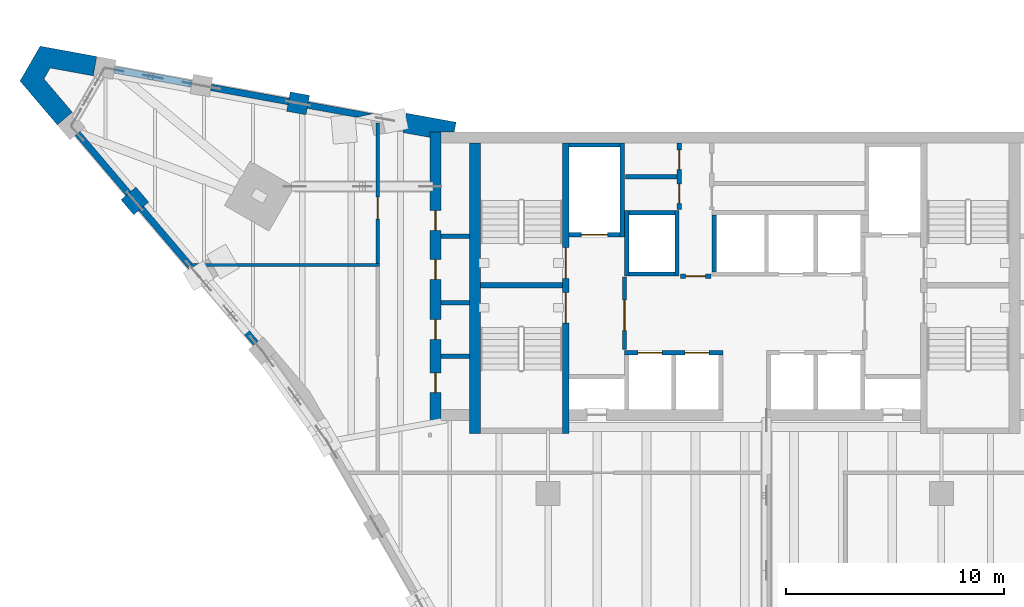
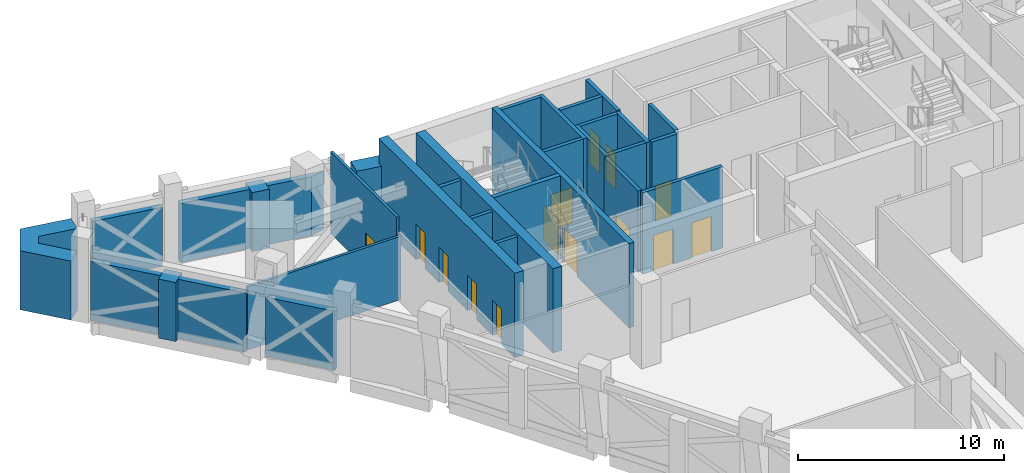
# One storey, part 11 of 23: 32 walls, 14 doors, 14 openings.
"""IFC4 building model written with IfcOpenShell, lengths in metres."""

from ifc_helpers import new_model, si_unit, direction, frame, frame_2d, origin, place, context, subcontext, project, spatial, polyline, rectangle, outline, extrude, material, layer, layer_set, type_object, element, fill, save


model = new_model("IFC4")

# Units and contexts
model_context = context("Model", 3, precision=1e-05, world=origin(), true_north=direction((0.0, 1.0)))
body_context = subcontext(model_context, "Body", "Model", "MODEL_VIEW")
ifc_project = project(units=[si_unit("LENGTHUNIT", "METRE"), si_unit("AREAUNIT", "SQUARE_METRE"), si_unit("VOLUMEUNIT", "CUBIC_METRE"), si_unit("PLANEANGLEUNIT", "RADIAN"), si_unit("MASSUNIT", "GRAM", prefix="KILO")], contexts=[model_context])

# Site, building, storey
site_placement = place(None, origin())
site = spatial("IfcSite", under=ifc_project, at=site_placement, CompositionType="ELEMENT")
building_placement = place(site_placement, origin())
building = spatial("IfcBuilding", under=site, at=building_placement, Name="Calabash Gate Tower", CompositionType="ELEMENT")
storey_placement = place(building_placement, frame((0.0, 0.0, 243.199951171875)))
storey = spatial("IfcBuildingStorey", under=building, at=storey_placement, Name="L58", CompositionType="ELEMENT", Elevation=243.199951171875)

# Walls
ifc_material_1 = material(Name="Terracotta brick masonry, exposed face", Category="masonry")
ifc_layer_1 = layer(ifc_material_1, 0.89990234375)
ifc_layer_set_1 = layer_set([ifc_layer_1], Name="Brick end wall 900")
wall_type_1 = type_object("IfcWallType", Name="Brick end wall 900", PredefinedType="SOLIDWALL", material=ifc_layer_set_1)
wall_1_placement = place(storey_placement, frame((-20.52099609375, 19.91796875, 0.0), z_axis=(0.0, 0.0, 1.0), x_axis=(0.180126650564, 0.983643426124, 0.0)))
element("IfcWall", 1, at=wall_1_placement, inside=storey, type_object=wall_type_1, Name="Brick pier L58 wedge7.1", PredefinedType="SOLIDWALL", context=body_context, shape_type="SweptSolid", body=[
    extrude(rectangle(XDim=0.89990234375, YDim=0.89990234375, at=frame_2d((0.449951171875, 0.0))), origin(), (0.0, 0.0, 1.0), 3.5),
])
wall_2_placement = place(storey_placement, frame((-27.621337890625, 15.551025390625, 0.0), z_axis=(0.0, 0.0, 1.0), x_axis=(-0.647703530983, 0.761892470072, 0.0)))
element("IfcWall", 2, at=wall_2_placement, inside=storey, type_object=wall_type_1, Name="Brick pier L58 wedge9.1", PredefinedType="SOLIDWALL", context=body_context, shape_type="SweptSolid", body=[
    extrude(rectangle(XDim=0.900146484375, YDim=0.89990234375, at=frame_2d((0.4501953125, 0.0))), origin(), (0.0, 0.0, 1.0), 3.5),
])
wall_3_placement = place(storey_placement, origin())
element("IfcWall", 3, at=wall_3_placement, inside=storey, type_object=wall_type_1, Name="Brick end wall L58 5", PredefinedType="SOLIDWALL", context=body_context, shape_type="SweptSolid", body=[
    extrude(outline(polyline([(-15.65185546875, 19.027099609375), (-14.39990234375, 18.798095703125), (-14.39990234375, 19.052490234375), (-13.291015625, 19.052490234375), (-13.2099609375, 19.4951171875), (-15.48974609375, 19.912353515625), (-15.65185546875, 19.027099609375)])), origin(), (0.0, 0.0, 1.0), 3.5),
])
wall_4_placement = place(storey_placement, origin())
element("IfcWall", 4, at=wall_4_placement, inside=storey, type_object=wall_type_1, Name="Brick end wall L58 6", PredefinedType="SOLIDWALL", context=body_context, shape_type="SweptSolid", body=[
    extrude(outline(polyline([(-29.816650390625, 21.618896484375), (-29.654541015625, 22.504150390625), (-32.24658203125, 22.978271484375), (-33.168701171875, 21.38134765625), (-31.4619140625, 19.373779296875), (-30.776123046875, 19.956787109375), (-32.072021484375, 21.48095703125), (-31.784423828125, 21.978759765625), (-29.816650390625, 21.618896484375)])), origin(), (0.0, 0.0, 1.0), 3.5),
])
ifc_material_2 = material(Name="Concrete C70/85", Category="concrete")
ifc_layer_2 = layer(ifc_material_2, 0.25)
ifc_layer_set_2 = layer_set([ifc_layer_2], Name="Core wall 250 Concrete C70/85")
wall_type_2 = type_object("IfcWallType", Name="Core wall 250 Concrete C70/85", PredefinedType="SHEAR", material=ifc_layer_set_2)
wall_5_placement = place(storey_placement, frame((-12.10009765625, 12.027587890625, 0.0), z_axis=(0.0, 0.0, 1.0), x_axis=(1.0, 0.0, 0.0)))
element("IfcWall", 5, at=wall_5_placement, inside=storey, type_object=wall_type_2, Name="Core wall Z4-MIDW L58", PredefinedType="SHEAR", context=body_context, shape_type="SweptSolid", body=[
    extrude(rectangle(XDim=3.75, YDim=0.25, at=frame_2d((1.875, 0.0))), origin(), (0.0, 0.0, 1.0), 5.0),
])

# Wall, openings, doors
ifc_material_3 = material(Name="Concrete C70/85", Category="concrete")
ifc_layer_3 = layer(ifc_material_3, 0.300048828125)
ifc_layer_set_3 = layer_set([ifc_layer_3], Name="Core wall 300 Concrete C70/85")
wall_type_3 = type_object("IfcWallType", Name="Core wall 300 Concrete C70/85", PredefinedType="SHEAR", material=ifc_layer_set_3)
wall_6_placement = place(storey_placement, frame((-8.199951171875, 5.252685546875, 0.0), z_axis=(0.0, 0.0, 1.0), x_axis=(0.0, 1.0, 0.0)))
wall_6 = element("IfcWall", 6, at=wall_6_placement, inside=storey, type_object=wall_type_3, Name="Core wall Z4-PARTW L58", PredefinedType="SHEAR", context=body_context, shape_type="SweptSolid", body=[
    extrude(rectangle(XDim=13.2998046875, YDim=0.300048828125, at=frame_2d((6.64990234375, 0.0))), origin(), (0.0, 0.0, 1.0), 5.0),
])
opening_1_placement = place(wall_6_placement, frame((7.10009765625, 0.0, 0.0)))
opening_1 = element("IfcOpeningElement", 7, at=opening_1_placement, cuts=wall_6, Name="Opening L58-001", PredefinedType="OPENING", context=body_context, shape_type="SweptSolid", body=[
    extrude(rectangle(XDim=1.39990234375, YDim=2.10009765625, at=frame_2d((0.699951171875, 1.050048828125))), frame((0.0, 0.159912109375, 0.0), z_axis=(0.0, -1.0, 0.0), x_axis=(1.0, 0.0, 0.0)), (0.0, 0.0, 1.0), 0.320068359375),
])
opening_2_placement = place(wall_6_placement, frame((5.050048828125, 0.0, 0.0)))
opening_2 = element("IfcOpeningElement", 8, at=opening_2_placement, cuts=wall_6, Name="Opening L58-002", PredefinedType="OPENING", context=body_context, shape_type="SweptSolid", body=[
    extrude(rectangle(XDim=1.39990234375, YDim=2.10009765625, at=frame_2d((0.699951171875, 1.050048828125))), frame((0.0, 0.159912109375, 0.0), z_axis=(0.0, -1.0, 0.0), x_axis=(1.0, 0.0, 0.0)), (0.0, 0.0, 1.0), 0.320068359375),
])
ifc_material_4 = material(Name="Steel fire door set with fire-resisting glazing", Category="steel")
door_type_1 = type_object("IfcDoorType", Name="Fire door D05 1400x2100 FD90", OperationType="NOTDEFINED", PredefinedType="DOOR", material=ifc_material_4)
door_1_placement = place(opening_1_placement, origin())
door_1 = element("IfcDoor", 9, at=door_1_placement, inside=storey, type_object=door_type_1, Name="Exit stair door ST1", OperationType="SINGLE_SWING_LEFT", OverallHeight=2.10009765625, OverallWidth=1.39990234375, PredefinedType="DOOR", context=body_context, shape_type="SweptSolid", body=[
    extrude(rectangle(XDim=1.39990234375, YDim=2.10009765625, at=frame_2d((0.699951171875, 1.050048828125))), frame((0.0, 0.02490234375, 0.0), z_axis=(0.0, -1.0, 0.0), x_axis=(1.0, 0.0, 0.0)), (0.0, 0.0, 1.0), 0.050048828125),
])
fill(opening_1, door_1)
door_2_placement = place(opening_2_placement, origin())
door_2 = element("IfcDoor", 10, at=door_2_placement, inside=storey, type_object=door_type_1, Name="Exit stair door ST2", OperationType="SINGLE_SWING_LEFT", OverallHeight=2.10009765625, OverallWidth=1.39990234375, PredefinedType="DOOR", context=body_context, shape_type="SweptSolid", body=[
    extrude(rectangle(XDim=1.39990234375, YDim=2.10009765625, at=frame_2d((0.699951171875, 1.050048828125))), frame((0.0, 0.02490234375, 0.0), z_axis=(0.0, -1.0, 0.0), x_axis=(1.0, 0.0, 0.0)), (0.0, 0.0, 1.0), 0.050048828125),
])
fill(opening_2, door_2)

# Wall
ifc_material_5 = material(Name="Concrete C70/85", Category="concrete")
ifc_layer_4 = layer(ifc_material_5, 0.5)
ifc_layer_set_4 = layer_set([ifc_layer_4], Name="Core wall 500 Concrete C70/85")
wall_type_4 = type_object("IfcWallType", Name="Core wall 500 Concrete C70/85", PredefinedType="SHEAR", material=ifc_layer_set_4)
wall_7_placement = place(storey_placement, frame((-12.35009765625, 5.252685546875, 0.0), z_axis=(0.0, 0.0, 1.0), x_axis=(0.0, 1.0, 0.0)))
element("IfcWall", 11, at=wall_7_placement, inside=storey, type_object=wall_type_4, Name="Core wall Z4-COLW L58", PredefinedType="SHEAR", context=body_context, shape_type="SweptSolid", body=[
    extrude(rectangle(XDim=13.2998046875, YDim=0.5, at=frame_2d((6.64990234375, 0.0))), origin(), (0.0, 0.0, 1.0), 5.0),
])

# Wall, openings, doors
wall_8_placement = place(storey_placement, frame((-14.14990234375, 5.8525390625, 0.0), z_axis=(0.0, 0.0, 1.0), x_axis=(0.0, 1.0, 0.0)))
wall_8 = element("IfcWall", 12, at=wall_8_placement, inside=storey, type_object=wall_type_4, Name="Core wall Z4-ENDW L58", PredefinedType="SHEAR", context=body_context, shape_type="SweptSolid", body=[
    extrude(rectangle(XDim=13.199951171875, YDim=0.5, at=frame_2d((6.60009765625, 0.0))), origin(), (0.0, 0.0, 1.0), 5.0),
])
opening_3_placement = place(wall_8_placement, frame((1.27001953125, 0.0, 0.0)))
opening_3 = element("IfcOpeningElement", 13, at=opening_3_placement, cuts=wall_8, Name="Opening L58-014", PredefinedType="OPENING", context=body_context, shape_type="SweptSolid", body=[
    extrude(rectangle(XDim=0.89990234375, YDim=2.10009765625, at=frame_2d((0.449951171875, 1.050048828125))), frame((0.0, 0.260009765625, 0.0), z_axis=(0.0, -1.0, 0.0), x_axis=(1.0, 0.0, 0.0)), (0.0, 0.0, 1.0), 0.52001953125),
])
opening_4_placement = place(wall_8_placement, frame((3.7099609375, 0.0, 0.0)))
opening_4 = element("IfcOpeningElement", 14, at=opening_4_placement, cuts=wall_8, Name="Opening L58-015", PredefinedType="OPENING", context=body_context, shape_type="SweptSolid", body=[
    extrude(rectangle(XDim=0.89990234375, YDim=2.10009765625, at=frame_2d((0.449951171875, 1.050048828125))), frame((0.0, 0.260009765625, 0.0), z_axis=(0.0, -1.0, 0.0), x_axis=(1.0, 0.0, 0.0)), (0.0, 0.0, 1.0), 0.52001953125),
])
opening_5_placement = place(wall_8_placement, frame((6.455078125, 0.0, 0.0)))
opening_5 = element("IfcOpeningElement", 15, at=opening_5_placement, cuts=wall_8, Name="Opening L58-016", PredefinedType="OPENING", context=body_context, shape_type="SweptSolid", body=[
    extrude(rectangle(XDim=0.89990234375, YDim=2.10009765625, at=frame_2d((0.449951171875, 1.050048828125))), frame((0.0, 0.260009765625, 0.0), z_axis=(0.0, -1.0, 0.0), x_axis=(1.0, 0.0, 0.0)), (0.0, 0.0, 1.0), 0.52001953125),
])
opening_6_placement = place(wall_8_placement, frame((8.697509765625, 0.0, 0.0)))
opening_6 = element("IfcOpeningElement", 16, at=opening_6_placement, cuts=wall_8, Name="Opening L58-017", PredefinedType="OPENING", context=body_context, shape_type="SweptSolid", body=[
    extrude(rectangle(XDim=0.89990234375, YDim=2.10009765625, at=frame_2d((0.449951171875, 1.050048828125))), frame((0.0, 0.260009765625, 0.0), z_axis=(0.0, -1.0, 0.0), x_axis=(1.0, 0.0, 0.0)), (0.0, 0.0, 1.0), 0.52001953125),
])
ifc_material_6 = material(Name="Steel fire door set with fire-resisting glazing", Category="steel")
door_type_2 = type_object("IfcDoorType", Name="Fire door D06 900x2100 FD60", OperationType="NOTDEFINED", PredefinedType="DOOR", material=ifc_material_6)
door_3_placement = place(opening_3_placement, origin())
door_3 = element("IfcDoor", 17, at=door_3_placement, inside=storey, type_object=door_type_2, Name="Electrical Riser door", OperationType="SINGLE_SWING_LEFT", OverallHeight=2.10009765625, OverallWidth=0.89990234375, PredefinedType="DOOR", context=body_context, shape_type="SweptSolid", body=[
    extrude(rectangle(XDim=0.89990234375, YDim=2.10009765625, at=frame_2d((0.449951171875, 1.050048828125))), frame((0.0, 0.02490234375, 0.0), z_axis=(0.0, -1.0, 0.0), x_axis=(1.0, 0.0, 0.0)), (0.0, 0.0, 1.0), 0.050048828125),
])
fill(opening_3, door_3)
door_4_placement = place(opening_4_placement, origin())
door_4 = element("IfcDoor", 18, at=door_4_placement, inside=storey, type_object=door_type_2, Name="Comms Riser door", OperationType="SINGLE_SWING_LEFT", OverallHeight=2.10009765625, OverallWidth=0.89990234375, PredefinedType="DOOR", context=body_context, shape_type="SweptSolid", body=[
    extrude(rectangle(XDim=0.89990234375, YDim=2.10009765625, at=frame_2d((0.449951171875, 1.050048828125))), frame((0.0, 0.02490234375, 0.0), z_axis=(0.0, -1.0, 0.0), x_axis=(1.0, 0.0, 0.0)), (0.0, 0.0, 1.0), 0.050048828125),
])
fill(opening_4, door_4)
door_5_placement = place(opening_5_placement, origin())
door_5 = element("IfcDoor", 19, at=door_5_placement, inside=storey, type_object=door_type_2, Name="Cleaner's Store door", OperationType="SINGLE_SWING_LEFT", OverallHeight=2.10009765625, OverallWidth=0.89990234375, PredefinedType="DOOR", context=body_context, shape_type="SweptSolid", body=[
    extrude(rectangle(XDim=0.89990234375, YDim=2.10009765625, at=frame_2d((0.449951171875, 1.050048828125))), frame((0.0, 0.02490234375, 0.0), z_axis=(0.0, -1.0, 0.0), x_axis=(1.0, 0.0, 0.0)), (0.0, 0.0, 1.0), 0.050048828125),
])
fill(opening_5, door_5)
door_6_placement = place(opening_6_placement, origin())
door_6 = element("IfcDoor", 20, at=door_6_placement, inside=storey, type_object=door_type_2, Name="Duct Riser door", OperationType="SINGLE_SWING_LEFT", OverallHeight=2.10009765625, OverallWidth=0.89990234375, PredefinedType="DOOR", context=body_context, shape_type="SweptSolid", body=[
    extrude(rectangle(XDim=0.89990234375, YDim=2.10009765625, at=frame_2d((0.449951171875, 1.050048828125))), frame((0.0, 0.02490234375, 0.0), z_axis=(0.0, -1.0, 0.0), x_axis=(1.0, 0.0, 0.0)), (0.0, 0.0, 1.0), 0.050048828125),
])
fill(opening_6, door_6)

# Wall
ifc_material_7 = material(Name="Gypsum board on steel studs, mineral wool", Category="steel")
ifc_layer_5 = layer(ifc_material_7, 0.14990234375)
ifc_layer_set_5 = layer_set([ifc_layer_5], Name="Partition 150 gypsum board")
wall_type_5 = type_object("IfcWallType", Name="Partition 150 gypsum board", PredefinedType="PARTITIONING", material=ifc_layer_set_5)
wall_9_placement = place(storey_placement, frame((-25.326416015625, 12.965576171875, 0.0), z_axis=(0.0, 0.0, 1.0), x_axis=(1.0, 0.0, 0.0)))
element("IfcWall", 21, at=wall_9_placement, inside=storey, type_object=wall_type_5, Name="Partition", PredefinedType="PARTITIONING", context=body_context, shape_type="SweptSolid", body=[
    extrude(rectangle(XDim=8.601318359375, YDim=0.14990234375, at=frame_2d((4.30078125, 0.0))), origin(), (0.0, 0.0, 1.0), 3.751953125),
])

# Wall, opening, door
wall_10_placement = place(storey_placement, frame((-16.800048828125, 13.04052734375, 0.0), z_axis=(0.0, 0.0, 1.0), x_axis=(0.0, 1.0, 0.0)))
wall_10 = element("IfcWall", 22, at=wall_10_placement, inside=storey, type_object=wall_type_5, Name="Partition", PredefinedType="PARTITIONING", context=body_context, shape_type="SweptSolid", body=[
    extrude(rectangle(XDim=6.424072265625, YDim=0.14990234375, at=frame_2d((3.2119140625, 0.0))), origin(), (0.0, 0.0, 1.0), 4.830078125),
])
opening_7_placement = place(wall_10_placement, frame((2.02490234375, 0.0, 0.0)))
opening_7 = element("IfcOpeningElement", 23, at=opening_7_placement, cuts=wall_10, Name="Opening L58-022", PredefinedType="OPENING", context=body_context, shape_type="SweptSolid", body=[
    extrude(rectangle(XDim=1.0, YDim=2.10009765625, at=frame_2d((0.5, 1.050048828125))), frame((0.0, 0.0849609375, 0.0), z_axis=(0.0, -1.0, 0.0), x_axis=(1.0, 0.0, 0.0)), (0.0, 0.0, 1.0), 0.169921875),
])
ifc_material_8 = material(Name="Steel fire door set with fire-resisting glazing", Category="steel")
door_type_3 = type_object("IfcDoorType", Name="Fire door D11 1000x2100 FD60", OperationType="NOTDEFINED", PredefinedType="DOOR", material=ifc_material_8)
door_7_placement = place(opening_7_placement, origin())
door_7 = element("IfcDoor", 24, at=door_7_placement, inside=storey, type_object=door_type_3, Name="Air Handling Plant Room door", OperationType="SINGLE_SWING_LEFT", OverallHeight=2.10009765625, OverallWidth=1.0, PredefinedType="DOOR", context=body_context, shape_type="SweptSolid", body=[
    extrude(rectangle(XDim=1.0, YDim=2.10009765625, at=frame_2d((0.5, 1.050048828125))), frame((0.0, 0.02490234375, 0.0), z_axis=(0.0, -1.0, 0.0), x_axis=(1.0, 0.0, 0.0)), (0.0, 0.0, 1.0), 0.050048828125),
])
fill(opening_7, door_7)

# Wall
ifc_material_9 = material(Name="Concrete C40/50", Category="concrete")
ifc_layer_6 = layer(ifc_material_9, 0.199951171875)
ifc_layer_set_6 = layer_set([ifc_layer_6], Name="Shaft wall 200 Concrete C40/50")
wall_type_6 = type_object("IfcWallType", Name="Shaft wall 200 Concrete C40/50", PredefinedType="SOLIDWALL", material=ifc_layer_set_6)
wall_11_placement = place(storey_placement, frame((-13.89990234375, 8.79248046875, 0.0), z_axis=(0.0, 0.0, 1.0), x_axis=(1.0, 0.0, 0.0)))
element("IfcWall", 25, at=wall_11_placement, inside=storey, type_object=wall_type_6, Name="Shaft wall", PredefinedType="SOLIDWALL", context=body_context, shape_type="SweptSolid", body=[
    extrude(rectangle(XDim=1.2998046875, YDim=0.199951171875, at=frame_2d((0.64990234375, 0.0))), origin(), (0.0, 0.0, 1.0), 4.830078125),
])

# Wall, openings, doors
wall_12_placement = place(storey_placement, frame((-5.5, 8.95263671875, 0.0), z_axis=(0.0, 0.0, 1.0), x_axis=(1.0, 0.0, 0.0)))
wall_12 = element("IfcWall", 26, at=wall_12_placement, inside=storey, type_object=wall_type_6, Name="Shaft wall", PredefinedType="SOLIDWALL", context=body_context, shape_type="SweptSolid", body=[
    extrude(rectangle(XDim=4.5, YDim=0.199951171875, at=frame_2d((2.25, 0.0))), origin(), (0.0, 0.0, 1.0), 4.830078125),
])
opening_8_placement = place(wall_12_placement, frame((0.625, 0.0, 0.0)))
opening_8 = element("IfcOpeningElement", 27, at=opening_8_placement, cuts=wall_12, Name="Opening LD-HR1", PredefinedType="OPENING", context=body_context, shape_type="SweptSolid", body=[
    extrude(rectangle(XDim=1.10009765625, YDim=2.10009765625, at=frame_2d((0.550048828125, 1.050048828125))), frame((0.0, 0.10986328125, 0.0), z_axis=(0.0, -1.0, 0.0), x_axis=(1.0, 0.0, 0.0)), (0.0, 0.0, 1.0), 0.219970703125),
])
opening_9_placement = place(wall_12_placement, frame((2.77490234375, 0.0, 0.0)))
opening_9 = element("IfcOpeningElement", 28, at=opening_9_placement, cuts=wall_12, Name="Opening LD-HR2", PredefinedType="OPENING", context=body_context, shape_type="SweptSolid", body=[
    extrude(rectangle(XDim=1.10009765625, YDim=2.10009765625, at=frame_2d((0.550048828125, 1.050048828125))), frame((0.0, 0.10986328125, 0.0), z_axis=(0.0, -1.0, 0.0), x_axis=(1.0, 0.0, 0.0)), (0.0, 0.0, 1.0), 0.219970703125),
])
ifc_material_10 = material(Name="Stainless steel sliding door leaves", Category="steel")
door_type_4 = type_object("IfcDoorType", Name="Lift landing door LS1 1100x2100 FD90", OperationType="DOUBLE_DOOR_SLIDING", PredefinedType="DOOR", material=ifc_material_10)
door_8_placement = place(opening_8_placement, origin())
door_8 = element("IfcDoor", 29, at=door_8_placement, inside=storey, type_object=door_type_4, Name="Lift landing door HR1", OperationType="DOUBLE_DOOR_SLIDING", OverallHeight=2.10009765625, OverallWidth=1.10009765625, PredefinedType="DOOR", context=body_context, shape_type="SweptSolid", body=[
    extrude(rectangle(XDim=1.10009765625, YDim=2.10009765625, at=frame_2d((0.550048828125, 1.050048828125))), frame((0.0, 0.02490234375, 0.0), z_axis=(0.0, -1.0, 0.0), x_axis=(1.0, 0.0, 0.0)), (0.0, 0.0, 1.0), 0.050048828125),
])
fill(opening_8, door_8)
door_9_placement = place(opening_9_placement, origin())
door_9 = element("IfcDoor", 30, at=door_9_placement, inside=storey, type_object=door_type_4, Name="Lift landing door HR2", OperationType="DOUBLE_DOOR_SLIDING", OverallHeight=2.10009765625, OverallWidth=1.10009765625, PredefinedType="DOOR", context=body_context, shape_type="SweptSolid", body=[
    extrude(rectangle(XDim=1.10009765625, YDim=2.10009765625, at=frame_2d((0.550048828125, 1.050048828125))), frame((0.0, 0.02490234375, 0.0), z_axis=(0.0, -1.0, 0.0), x_axis=(1.0, 0.0, 0.0)), (0.0, 0.0, 1.0), 0.050048828125),
])
fill(opening_9, door_9)

# Wall, opening, door
wall_13_placement = place(storey_placement, frame((-5.5, 9.1025390625, 0.0), z_axis=(0.0, 0.0, 1.0), x_axis=(0.0, 1.0, 0.0)))
wall_13 = element("IfcWall", 31, at=wall_13_placement, inside=storey, type_object=wall_type_6, Name="Shaft wall", PredefinedType="SOLIDWALL", context=body_context, shape_type="SweptSolid", body=[
    extrude(rectangle(XDim=3.300048828125, YDim=0.199951171875, at=frame_2d((1.64990234375, 0.0))), origin(), (0.0, 0.0, 1.0), 4.830078125),
])
opening_10_placement = place(wall_13_placement, frame((0.85009765625, 0.0, 0.0)))
opening_10 = element("IfcOpeningElement", 32, at=opening_10_placement, cuts=wall_13, Name="Opening L58-006", PredefinedType="OPENING", context=body_context, shape_type="SweptSolid", body=[
    extrude(rectangle(XDim=1.39990234375, YDim=2.10009765625, at=frame_2d((0.699951171875, 1.050048828125))), frame((0.0, 0.10986328125, 0.0), z_axis=(0.0, -1.0, 0.0), x_axis=(1.0, 0.0, 0.0)), (0.0, 0.0, 1.0), 0.219970703125),
])
door_10_placement = place(opening_10_placement, origin())
door_10 = element("IfcDoor", 33, at=door_10_placement, inside=storey, type_object=door_type_1, Name="Firefighting Lobby W door", OperationType="SINGLE_SWING_RIGHT", OverallHeight=2.10009765625, OverallWidth=1.39990234375, PredefinedType="DOOR", context=body_context, shape_type="SweptSolid", body=[
    extrude(rectangle(XDim=1.39990234375, YDim=2.10009765625, at=frame_2d((0.699951171875, 1.050048828125))), frame((0.0, 0.02490234375, 0.0), z_axis=(0.0, -1.0, 0.0), x_axis=(1.0, 0.0, 0.0)), (0.0, 0.0, 1.0), 0.050048828125),
])
fill(opening_10, door_10)

# Wall
wall_14_placement = place(storey_placement, frame((-13.89990234375, 11.232666015625, 0.0), z_axis=(0.0, 0.0, 1.0), x_axis=(1.0, 0.0, 0.0)))
element("IfcWall", 34, at=wall_14_placement, inside=storey, type_object=wall_type_6, Name="Shaft wall", PredefinedType="SOLIDWALL", context=body_context, shape_type="SweptSolid", body=[
    extrude(rectangle(XDim=1.2998046875, YDim=0.199951171875, at=frame_2d((0.64990234375, 0.0))), origin(), (0.0, 0.0, 1.0), 4.830078125),
])

# Wall, opening, door
wall_15_placement = place(storey_placement, frame((-2.949951171875, 12.45263671875, 0.0), z_axis=(0.0, 0.0, 1.0), x_axis=(1.0, 0.0, 0.0)))
wall_15 = element("IfcWall", 35, at=wall_15_placement, inside=storey, type_object=wall_type_6, Name="Shaft wall", PredefinedType="SOLIDWALL", context=body_context, shape_type="SweptSolid", body=[
    extrude(rectangle(XDim=1.39990234375, YDim=0.199951171875, at=frame_2d((0.699951171875, 0.0))), origin(), (0.0, 0.0, 1.0), 4.830078125),
])
opening_11_placement = place(wall_15_placement, frame((0.25, 0.0, 0.0)))
opening_11 = element("IfcOpeningElement", 36, at=opening_11_placement, cuts=wall_15, Name="Opening L58-005", PredefinedType="OPENING", context=body_context, shape_type="SweptSolid", body=[
    extrude(rectangle(XDim=0.89990234375, YDim=2.10009765625, at=frame_2d((0.449951171875, 1.050048828125))), frame((0.0, 0.10986328125, 0.0), z_axis=(0.0, -1.0, 0.0), x_axis=(1.0, 0.0, 0.0)), (0.0, 0.0, 1.0), 0.219970703125),
])
door_11_placement = place(opening_11_placement, origin())
door_11 = element("IfcDoor", 37, at=door_11_placement, inside=storey, type_object=door_type_2, Name="Service Corridor door", OperationType="SINGLE_SWING_RIGHT", OverallHeight=2.10009765625, OverallWidth=0.89990234375, PredefinedType="DOOR", context=body_context, shape_type="SweptSolid", body=[
    extrude(rectangle(XDim=0.89990234375, YDim=2.10009765625, at=frame_2d((0.449951171875, 1.050048828125))), frame((0.0, 0.02490234375, 0.0), z_axis=(0.0, -1.0, 0.0), x_axis=(1.0, 0.0, 0.0)), (0.0, 0.0, 1.0), 0.050048828125),
])
fill(opening_11, door_11)

# Walls
wall_16_placement = place(storey_placement, frame((-5.39990234375, 12.45263671875, 0.0), z_axis=(0.0, 0.0, 1.0), x_axis=(0.0, 1.0, 0.0)))
element("IfcWall", 38, at=wall_16_placement, inside=storey, type_object=wall_type_6, Name="Shaft wall", PredefinedType="SOLIDWALL", context=body_context, shape_type="SweptSolid", body=[
    extrude(rectangle(XDim=3.0, YDim=0.199951171875, at=frame_2d((1.5, 0.0))), origin(), (0.0, 0.0, 1.0), 4.830078125),
])
wall_17_placement = place(storey_placement, frame((-5.300048828125, 12.552490234375, 0.0), z_axis=(0.0, 0.0, 1.0), x_axis=(1.0, 0.0, 0.0)))
element("IfcWall", 39, at=wall_17_placement, inside=storey, type_object=wall_type_6, Name="Shaft wall", PredefinedType="SOLIDWALL", context=body_context, shape_type="SweptSolid", body=[
    extrude(rectangle(XDim=2.10009765625, YDim=0.199951171875, at=frame_2d((1.050048828125, 0.0))), origin(), (0.0, 0.0, 1.0), 4.830078125),
])
wall_18_placement = place(storey_placement, frame((-3.10009765625, 12.45263671875, 0.0), z_axis=(0.0, 0.0, 1.0), x_axis=(0.0, 1.0, 0.0)))
element("IfcWall", 40, at=wall_18_placement, inside=storey, type_object=wall_type_6, Name="Shaft wall", PredefinedType="SOLIDWALL", context=body_context, shape_type="SweptSolid", body=[
    extrude(rectangle(XDim=3.0, YDim=0.199951171875, at=frame_2d((1.5, 0.0))), origin(), (0.0, 0.0, 1.0), 4.830078125),
])
wall_19_placement = place(storey_placement, frame((-1.39990234375, 12.652587890625, 0.0), z_axis=(0.0, 0.0, 1.0), x_axis=(0.0, 1.0, 0.0)))
element("IfcWall", 41, at=wall_19_placement, inside=storey, type_object=wall_type_6, Name="Shaft wall", PredefinedType="SOLIDWALL", context=body_context, shape_type="SweptSolid", body=[
    extrude(rectangle(XDim=2.60009765625, YDim=0.199951171875, at=frame_2d((1.300048828125, 0.0))), origin(), (0.0, 0.0, 1.0), 4.830078125),
])
wall_20_placement = place(storey_placement, frame((-13.89990234375, 14.28271484375, 0.0), z_axis=(0.0, 0.0, 1.0), x_axis=(1.0, 0.0, 0.0)))
element("IfcWall", 42, at=wall_20_placement, inside=storey, type_object=wall_type_6, Name="Shaft wall", PredefinedType="SOLIDWALL", context=body_context, shape_type="SweptSolid", body=[
    extrude(rectangle(XDim=1.2998046875, YDim=0.199951171875, at=frame_2d((0.64990234375, 0.0))), origin(), (0.0, 0.0, 1.0), 4.830078125),
])

# Wall, opening, door
wall_21_placement = place(storey_placement, frame((-8.050048828125, 14.3525390625, 0.0), z_axis=(0.0, 0.0, 1.0), x_axis=(1.0, 0.0, 0.0)))
wall_21 = element("IfcWall", 43, at=wall_21_placement, inside=storey, type_object=wall_type_6, Name="Shaft wall", PredefinedType="SOLIDWALL", context=body_context, shape_type="SweptSolid", body=[
    extrude(rectangle(XDim=2.35009765625, YDim=0.199951171875, at=frame_2d((1.175048828125, 0.0))), origin(), (0.0, 0.0, 1.0), 4.830078125),
])
opening_12_placement = place(wall_21_placement, frame((0.574951171875, 0.0, 0.0)))
opening_12 = element("IfcOpeningElement", 44, at=opening_12_placement, cuts=wall_21, Name="Opening LD-FF1", PredefinedType="OPENING", context=body_context, shape_type="SweptSolid", body=[
    extrude(rectangle(XDim=1.199951171875, YDim=2.10009765625, at=frame_2d((0.60009765625, 1.050048828125))), frame((0.0, 0.10986328125, 0.0), z_axis=(0.0, -1.0, 0.0), x_axis=(1.0, 0.0, 0.0)), (0.0, 0.0, 1.0), 0.219970703125),
])
ifc_material_11 = material(Name="Stainless steel sliding door leaves", Category="steel")
door_type_5 = type_object("IfcDoorType", Name="Lift landing door LS3 1200x2100 FD90", OperationType="DOUBLE_DOOR_SLIDING", PredefinedType="DOOR", material=ifc_material_11)
door_12_placement = place(opening_12_placement, origin())
door_12 = element("IfcDoor", 45, at=door_12_placement, inside=storey, type_object=door_type_5, Name="Lift landing door FF1", OperationType="DOUBLE_DOOR_SLIDING", OverallHeight=2.10009765625, OverallWidth=1.199951171875, PredefinedType="DOOR", context=body_context, shape_type="SweptSolid", body=[
    extrude(rectangle(XDim=1.199951171875, YDim=2.10009765625, at=frame_2d((0.60009765625, 1.050048828125))), frame((0.0, 0.02490234375, 0.0), z_axis=(0.0, -1.0, 0.0), x_axis=(1.0, 0.0, 0.0)), (0.0, 0.0, 1.0), 0.050048828125),
])
fill(opening_12, door_12)

# Walls
wall_22_placement = place(storey_placement, frame((-5.60009765625, 14.252685546875, 0.0), z_axis=(0.0, 0.0, 1.0), x_axis=(0.0, 1.0, 0.0)))
element("IfcWall", 46, at=wall_22_placement, inside=storey, type_object=wall_type_6, Name="Shaft wall", PredefinedType="SOLIDWALL", context=body_context, shape_type="SweptSolid", body=[
    extrude(rectangle(XDim=4.2998046875, YDim=0.199951171875, at=frame_2d((2.14990234375, 0.0))), origin(), (0.0, 0.0, 1.0), 4.830078125),
])
wall_23_placement = place(storey_placement, frame((-5.300048828125, 15.3525390625, 0.0), z_axis=(0.0, 0.0, 1.0), x_axis=(1.0, 0.0, 0.0)))
element("IfcWall", 47, at=wall_23_placement, inside=storey, type_object=wall_type_6, Name="Shaft wall", PredefinedType="SOLIDWALL", context=body_context, shape_type="SweptSolid", body=[
    extrude(rectangle(XDim=2.10009765625, YDim=0.199951171875, at=frame_2d((1.050048828125, 0.0))), origin(), (0.0, 0.0, 1.0), 4.830078125),
])

# Wall, openings, doors
wall_24_placement = place(storey_placement, frame((-3.0, 15.502685546875, 0.0), z_axis=(0.0, 0.0, 1.0), x_axis=(0.0, 1.0, 0.0)))
wall_24 = element("IfcWall", 48, at=wall_24_placement, inside=storey, type_object=wall_type_6, Name="Shaft wall", PredefinedType="SOLIDWALL", context=body_context, shape_type="SweptSolid", body=[
    extrude(rectangle(XDim=3.0498046875, YDim=0.199951171875, at=frame_2d((1.52490234375, 0.0))), origin(), (0.0, 0.0, 1.0), 4.830078125),
])
opening_13_placement = place(wall_24_placement, frame((0.27490234375, 0.0, 0.0)))
opening_13 = element("IfcOpeningElement", 49, at=opening_13_placement, cuts=wall_24, Name="Opening L58-008", PredefinedType="OPENING", context=body_context, shape_type="SweptSolid", body=[
    extrude(rectangle(XDim=0.89990234375, YDim=2.10009765625, at=frame_2d((0.449951171875, 1.050048828125))), frame((0.0, 0.10986328125, 0.0), z_axis=(0.0, -1.0, 0.0), x_axis=(1.0, 0.0, 0.0)), (0.0, 0.0, 1.0), 0.219970703125),
])
opening_14_placement = place(wall_24_placement, frame((1.824951171875, 0.0, 0.0)))
opening_14 = element("IfcOpeningElement", 50, at=opening_14_placement, cuts=wall_24, Name="Opening L58-009", PredefinedType="OPENING", context=body_context, shape_type="SweptSolid", body=[
    extrude(rectangle(XDim=0.89990234375, YDim=2.10009765625, at=frame_2d((0.449951171875, 1.050048828125))), frame((0.0, 0.10986328125, 0.0), z_axis=(0.0, -1.0, 0.0), x_axis=(1.0, 0.0, 0.0)), (0.0, 0.0, 1.0), 0.219970703125),
])
door_13_placement = place(opening_13_placement, origin())
door_13 = element("IfcDoor", 51, at=door_13_placement, inside=storey, type_object=door_type_2, Name="Mechanical Fan Room door", OperationType="SINGLE_SWING_LEFT", OverallHeight=2.10009765625, OverallWidth=0.89990234375, PredefinedType="DOOR", context=body_context, shape_type="SweptSolid", body=[
    extrude(rectangle(XDim=0.89990234375, YDim=2.10009765625, at=frame_2d((0.449951171875, 1.050048828125))), frame((0.0, 0.02490234375, 0.0), z_axis=(0.0, -1.0, 0.0), x_axis=(1.0, 0.0, 0.0)), (0.0, 0.0, 1.0), 0.050048828125),
])
fill(opening_13, door_13)
door_14_placement = place(opening_14_placement, origin())
door_14 = element("IfcDoor", 52, at=door_14_placement, inside=storey, type_object=door_type_2, Name="Plant BMS Room door", OperationType="SINGLE_SWING_LEFT", OverallHeight=2.10009765625, OverallWidth=0.89990234375, PredefinedType="DOOR", context=body_context, shape_type="SweptSolid", body=[
    extrude(rectangle(XDim=0.89990234375, YDim=2.10009765625, at=frame_2d((0.449951171875, 1.050048828125))), frame((0.0, 0.02490234375, 0.0), z_axis=(0.0, -1.0, 0.0), x_axis=(1.0, 0.0, 0.0)), (0.0, 0.0, 1.0), 0.050048828125),
])
fill(opening_14, door_14)

# Walls
wall_25_placement = place(storey_placement, frame((-5.449951171875, 17.002685546875, 0.0), z_axis=(0.0, 0.0, 1.0), x_axis=(1.0, 0.0, 0.0)))
element("IfcWall", 53, at=wall_25_placement, inside=storey, type_object=wall_type_6, Name="Shaft wall", PredefinedType="SOLIDWALL", context=body_context, shape_type="SweptSolid", body=[
    extrude(rectangle(XDim=2.349853515625, YDim=0.199951171875, at=frame_2d((1.1748046875, 0.0))), origin(), (0.0, 0.0, 1.0), 4.830078125),
])
wall_26_placement = place(storey_placement, frame((-8.050048828125, 18.45263671875, 0.0), z_axis=(0.0, 0.0, 1.0), x_axis=(1.0, 0.0, 0.0)))
element("IfcWall", 54, at=wall_26_placement, inside=storey, type_object=wall_type_6, Name="Shaft wall", PredefinedType="SOLIDWALL", context=body_context, shape_type="SweptSolid", body=[
    extrude(rectangle(XDim=2.35009765625, YDim=0.199951171875, at=frame_2d((1.175048828125, 0.0))), origin(), (0.0, 0.0, 1.0), 4.830078125),
])
ifc_material_12 = material(Name="Terracotta louvre blades in an aluminium frame", Category="masonry")
ifc_layer_7 = layer(ifc_material_12, 0.300048828125)
ifc_layer_set_7 = layer_set([ifc_layer_7], Name="Terracotta louvre wall 300")
wall_type_7 = type_object("IfcWallType", Name="Terracotta louvre wall 300", PredefinedType="ELEMENTEDWALL", material=ifc_layer_set_7)
wall_27_placement = place(storey_placement, origin())
element("IfcWall", 55, at=wall_27_placement, inside=storey, type_object=wall_type_7, Name="LOUVRE L58 wedge7.1", PredefinedType="ELEMENTEDWALL", context=body_context, shape_type="SweptSolid", body=[
    extrude(outline(polyline([(-20.0244140625, 20.132080078125), (-17.778076171875, 19.72119140625), (-17.007568359375, 19.885009765625), (-19.97021484375, 20.42724609375), (-20.0244140625, 20.132080078125)])), origin(), (0.0, 0.0, 1.0), 3.5),
])
wall_28_placement = place(storey_placement, origin())
element("IfcWall", 56, at=wall_28_placement, inside=storey, type_object=wall_type_7, Name="LOUVRE L58 wedge7.2", PredefinedType="ELEMENTEDWALL", context=body_context, shape_type="SweptSolid", body=[
    extrude(outline(polyline([(-20.855712890625, 20.589111328125), (-24.396484375, 21.237060546875), (-24.450439453125, 20.94189453125), (-20.90966796875, 20.2939453125), (-20.855712890625, 20.589111328125)])), origin(), (0.0, 0.0, 1.0), 3.5),
])
wall_29_placement = place(storey_placement, frame((-25.30908203125, 21.25146484375, 0.0), z_axis=(0.0, 0.0, 1.0), x_axis=(-0.983669647318, 0.17998340186, 0.0)))
element("IfcWall", 57, at=wall_29_placement, inside=storey, type_object=wall_type_7, Name="LOUVRE L58 wedge7.3", PredefinedType="ELEMENTEDWALL", context=body_context, shape_type="SweptSolid", body=[
    extrude(rectangle(XDim=3.60009765625, YDim=0.300048828125, at=frame_2d((1.800048828125, 0.0))), origin(), (0.0, 0.0, 1.0), 3.5),
])
wall_30_placement = place(storey_placement, frame((-30.5361328125, 18.9794921875, 0.0), z_axis=(0.0, 0.0, 1.0), x_axis=(0.647731097329, -0.761869034384, 0.0)))
element("IfcWall", 58, at=wall_30_placement, inside=storey, type_object=wall_type_7, Name="LOUVRE L58 wedge9.1", PredefinedType="ELEMENTEDWALL", context=body_context, shape_type="SweptSolid", body=[
    extrude(rectangle(XDim=3.599853515625, YDim=0.300048828125, at=frame_2d((1.7998046875, 0.0))), origin(), (0.0, 0.0, 1.0), 3.5),
])
wall_31_placement = place(storey_placement, origin())
element("IfcWall", 59, at=wall_31_placement, inside=storey, type_object=wall_type_7, Name="LOUVRE L58 wedge9.2", PredefinedType="ELEMENTEDWALL", context=body_context, shape_type="SweptSolid", body=[
    extrude(outline(polyline([(-27.73583984375, 15.453857421875), (-25.447998046875, 12.762939453125), (-25.447998046875, 12.9169921875), (-25.273193359375, 13.020263671875), (-27.507080078125, 15.648193359375), (-27.73583984375, 15.453857421875)])), origin(), (0.0, 0.0, 1.0), 3.5),
])
wall_32_placement = place(storey_placement, origin())
element("IfcWall", 60, at=wall_32_placement, inside=storey, type_object=wall_type_7, Name="LOUVRE L58 wedge9.3", PredefinedType="ELEMENTEDWALL", context=body_context, shape_type="SweptSolid", body=[
    extrude(outline(polyline([(-24.81396484375, 12.01708984375), (-22.489501953125, 9.282958984375), (-22.260986328125, 9.47705078125), (-24.462890625, 12.0673828125), (-24.548095703125, 12.01708984375), (-24.81396484375, 12.01708984375)])), origin(), (0.0, 0.0, 1.0), 3.5),
])

save(model, "model.ifc")
